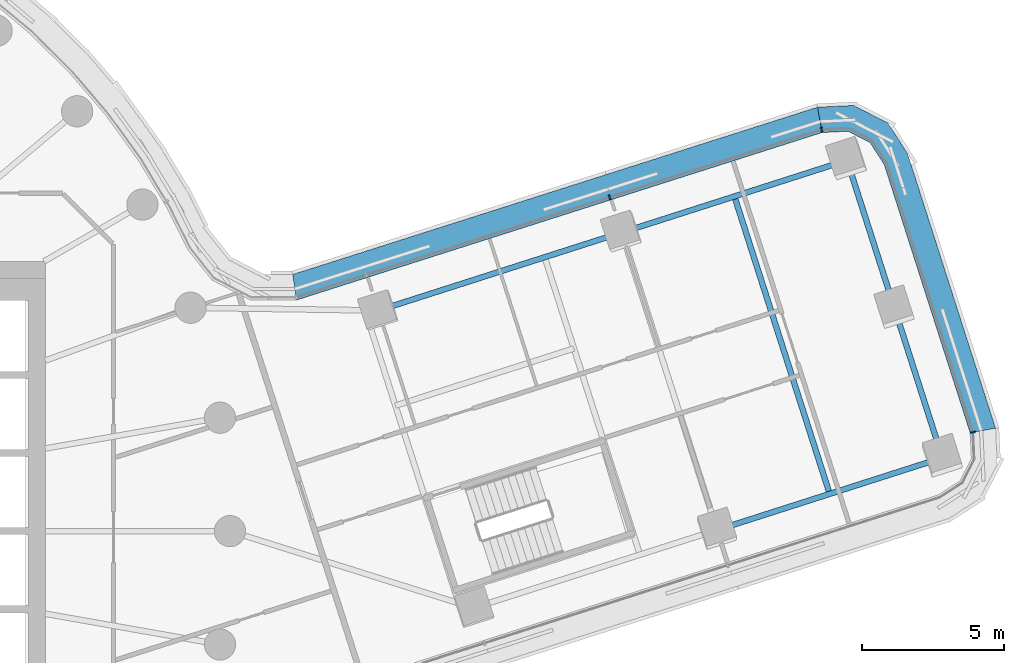
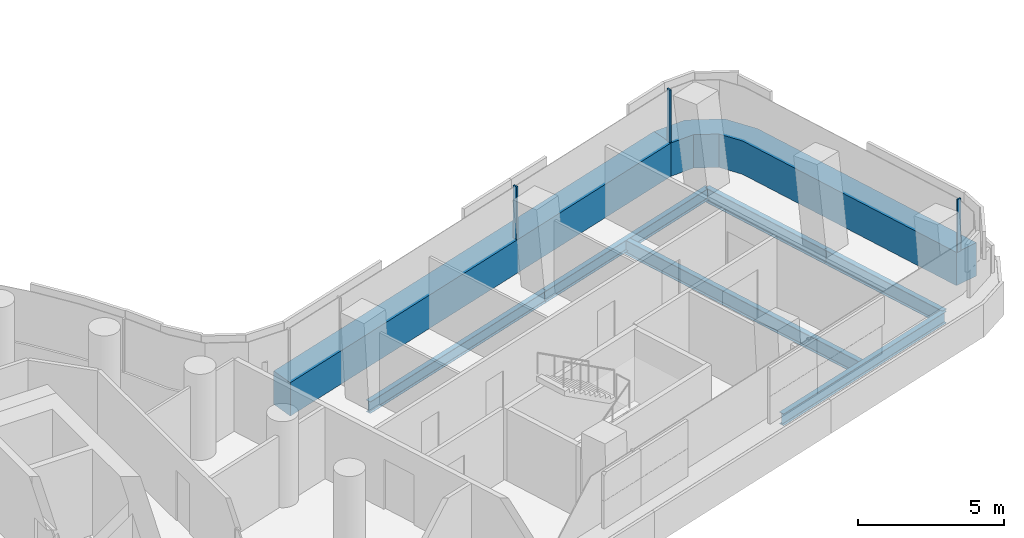
# One storey, part 12 of 30: 6 beams, 5 members, 2 elements without a shape of their own.
"""IFC4 building model written with IfcOpenShell, lengths in metres."""

from ifc_helpers import new_model, si_unit, direction, frame, origin, origin_2d, place, context, subcontext, project, spatial, polyline, rectangle, i_section, outline, extrude, material, layer, layer_set, material_profile, profile_set, type_object, element, aggregate, save


model = new_model("IFC4")

# Units and contexts
model_context = context("Model", 3, precision=1e-05, world=origin(), true_north=direction((0.0, 1.0)))
body_context = subcontext(model_context, "Body", "Model", "MODEL_VIEW")
ifc_project = project(units=[si_unit("LENGTHUNIT", "METRE"), si_unit("AREAUNIT", "SQUARE_METRE"), si_unit("VOLUMEUNIT", "CUBIC_METRE"), si_unit("PLANEANGLEUNIT", "RADIAN"), si_unit("MASSUNIT", "GRAM", prefix="KILO")], contexts=[model_context])

# Site, building, storey
site_placement = place(None, origin())
site = spatial("IfcSite", under=ifc_project, at=site_placement, CompositionType="ELEMENT")
building_placement = place(site_placement, origin())
building = spatial("IfcBuilding", under=site, at=building_placement, Name="Tamarind Cross Interchange Tower", CompositionType="ELEMENT")
storey_placement = place(building_placement, frame((0.0, 0.0, 98.5)))
storey = spatial("IfcBuildingStorey", under=building, at=storey_placement, Name="L23", CompositionType="ELEMENT", Elevation=98.5)

# Beams
ifc_material_1 = material(Name="Steel Q355B", Category="steel")
ifc_material_profile_1 = material_profile(ifc_material_1, i_section(OverallWidth=0.198974609375, OverallDepth=0.49609375, WebThickness=0.009033203125, FlangeThickness=0.013916015625, FilletRadius=0.012939453125, at=origin_2d()), Name="HN 496x199x9x14")
ifc_profile_set_1 = profile_set([ifc_material_profile_1], Name="Steel Q355B")
beam_type_1 = type_object("IfcBeamType", Name="Composite beam HN 496x199x9x14 Q355B", PredefinedType="BEAM", material=ifc_profile_set_1)
for number, where, z_axis, x_axis, name in (
    (1, (48.087890625, 2.581298828125, -0.387939453125), (-0.952333265495, -0.305059586692, 0.0), (0.305059586692, -0.952333265495, 0.0), "Beam E-edgeem5"),
    (2, (44.732421875, 13.05712890625, -0.387939453125), (-0.952333265495, -0.305059586692, 0.0), (0.305059586692, -0.952333265495, 0.0), "Beam E-edgeep2"),
):
    element("IfcBeam", number, at=place(storey_placement, frame(where, z_axis=z_axis, x_axis=x_axis)), inside=storey, type_object=beam_type_1, Name=name, PredefinedType="BEAM", context=body_context, shape_type="SweptSolid", body=[
        extrude(i_section(OverallWidth=0.198974609375, OverallDepth=0.49609375, WebThickness=0.009033203125, FlangeThickness=0.013916015625, FilletRadius=0.012939453125, at=origin_2d()), origin(), (0.0, 0.0, 1.0), 8.33203125),
    ])
beam_1_placement = place(storey_placement, frame((36.797607421875, 10.515380859375, -0.387939453125), z_axis=(-0.95233150291, -0.305065089063, 0.0), x_axis=(0.305065089063, -0.95233150291, 0.0)))
element("IfcBeam", 3, at=beam_1_placement, inside=storey, type_object=beam_type_1, Name="Beam E-edgeep3", PredefinedType="BEAM", context=body_context, shape_type="SweptSolid", body=[
    extrude(i_section(OverallWidth=0.198974609375, OverallDepth=0.49609375, WebThickness=0.009033203125, FlangeThickness=0.013916015625, FilletRadius=0.012939453125, at=origin_2d()), origin(), (0.0, 0.0, 1.0), 9.0),
])
ifc_material_profile_2 = material_profile(ifc_material_1, i_section(OverallWidth=0.199951171875, OverallDepth=0.60009765625, WebThickness=0.010986328125, FlangeThickness=0.01708984375, FilletRadius=0.012939453125, at=origin_2d()), Name="HN 600x200x11x17")
ifc_profile_set_2 = profile_set([ifc_material_profile_2], Name="Steel Q355B")
beam_type_2 = type_object("IfcBeamType", Name="Composite beam HN 600x200x11x17 Q355B", PredefinedType="BEAM", material=ifc_profile_set_2)
beam_2_placement = place(storey_placement, frame((48.087890625, 2.581298828125, -0.43994140625), z_axis=(-0.305046305392, 0.952337519773, 0.0), x_axis=(-0.952337519773, -0.305046305392, 0.0)))
element("IfcBeam", 4, at=beam_2_placement, inside=storey, type_object=beam_type_2, Name="Beam E-tip0", PredefinedType="BEAM", context=body_context, shape_type="SweptSolid", body=[
    extrude(i_section(OverallWidth=0.199951171875, OverallDepth=0.60009765625, WebThickness=0.010986328125, FlangeThickness=0.01708984375, FilletRadius=0.012939453125, at=origin_2d()), origin(), (0.0, 0.0, 1.0), 5.5),
])
beam_3_placement = place(storey_placement, frame((46.41015625, 7.819091796875, -0.43994140625), z_axis=(-0.305033410376, 0.95234165012, 0.0), x_axis=(-0.95234165012, -0.305033410376, 0.0)))
element("IfcBeam", 5, at=beam_3_placement, inside=storey, type_object=beam_type_2, Name="Beam E-tip1", PredefinedType="BEAM", context=body_context, shape_type="SweptSolid", body=[
    extrude(i_section(OverallWidth=0.199951171875, OverallDepth=0.60009765625, WebThickness=0.010986328125, FlangeThickness=0.01708984375, FilletRadius=0.012939453125, at=origin_2d()), origin(), (0.0, 0.0, 1.0), 5.500244140625),
])
beam_4_placement = place(storey_placement, frame((44.12060546875, 1.310546875, -0.43994140625), z_axis=(-0.305066434754, 0.952331071837, 0.0), x_axis=(-0.952331071837, -0.305066434754, 0.0)))
element("IfcBeam", 6, at=beam_4_placement, inside=storey, type_object=beam_type_2, Name="Beam E-x435", PredefinedType="BEAM", context=body_context, shape_type="SweptSolid", body=[
    extrude(i_section(OverallWidth=0.199951171875, OverallDepth=0.60009765625, WebThickness=0.010986328125, FlangeThickness=0.01708984375, FilletRadius=0.012939453125, at=origin_2d()), origin(), (0.0, 0.0, 1.0), 11.0),
])

# Curtain wall, member
ifc_material_2 = material(Name="Aluminium 6063-T6", Category="aluminium")
ifc_layer = layer(ifc_material_2, 0.159912109375)
ifc_layer_set = layer_set([ifc_layer], Name="Aluminium 6063-T6")
curtain_wall_type = type_object("IfcCurtainWallType", Name="Office curtain wall, 9.0 m bays", PredefinedType="NOTDEFINED", material=ifc_layer_set)
curtain_wall_1_placement = place(storey_placement, origin())
curtain_wall_1 = element("IfcCurtainWall", 7, at=curtain_wall_1_placement, inside=storey, type_object=curtain_wall_type, Name="CWS-L23-00", PredefinedType="NOTDEFINED")
ifc_material_3 = material(Name="Aluminium and insulated spandrel panel", Category="aluminium")
member_type_1 = type_object("IfcMemberType", Name="Floor-edge blade transom", PredefinedType="USERDEFINED", material=ifc_material_3)
member_1_placement = place(storey_placement, origin())
member_1 = element("IfcMember", 8, at=member_1_placement, type_object=member_type_1, Name="CWT-L23-00", ObjectType="TRANSOM", PredefinedType="USERDEFINED", context=body_context, shape_type="SweptSolid", body=[
    extrude(outline(polyline([(49.066162109375, 3.461181640625), (46.039794921875, 12.909423828125), (45.54443359375, 13.67919921875), (44.766845703125, 14.079345703125), (43.852294921875, 14.03515625), (43.691162109375, 14.928466796875), (44.96435546875, 14.989990234375), (46.170654296875, 14.368896484375), (46.860595703125, 13.296630859375), (49.95947265625, 3.623046875), (49.066162109375, 3.461181640625)])), origin(), (0.0, 0.0, 1.0), 1.39990234375),
])

curtain_wall_2_placement = place(storey_placement, origin())
curtain_wall_2 = element("IfcCurtainWall", 9, at=curtain_wall_2_placement, inside=storey, type_object=curtain_wall_type, Name="CWS-L23-01", PredefinedType="NOTDEFINED")
member_2_placement = place(storey_placement, origin())
member_2 = element("IfcMember", 10, at=member_2_placement, type_object=member_type_1, Name="CWT-L23-01", ObjectType="TRANSOM", PredefinedType="USERDEFINED", context=body_context, shape_type="SweptSolid", body=[
    extrude(outline(polyline([(43.852294921875, 14.03515625), (25.348388671875, 8.137451171875), (25.20849609375, 9.037353515625), (43.691162109375, 14.928466796875), (43.852294921875, 14.03515625)])), origin(), (0.0, 0.0, 1.0), 1.39990234375),
])

# Member
ifc_material_profile_3 = material_profile(ifc_material_2, rectangle(XDim=0.06005859375, YDim=0.159912109375, at=origin_2d()), Name="Mullion CW1")
ifc_profile_set_3 = profile_set([ifc_material_profile_3], Name="Aluminium 6063-T6")
member_type_2 = type_object("IfcMemberType", Name="Mullion CW1", PredefinedType="MULLION", material=ifc_profile_set_3)
member_3_placement = place(storey_placement, frame((49.16552734375, 3.479248046875, 1.39990234375), z_axis=(0.0, 0.0, 1.0), x_axis=(-0.178142768927, 0.98400465135, 0.0)))
member_3 = element("IfcMember", 11, at=member_3_placement, type_object=member_type_2, Name="CWM-L23-00-00", PredefinedType="MULLION", context=body_context, shape_type="SweptSolid", body=[
    extrude(rectangle(XDim=0.06005859375, YDim=0.159912109375, at=origin_2d()), origin(), (0.0, 0.0, 1.0), 2.210205078125),
])

aggregate(curtain_wall_1, [member_3, member_1])

member_4_placement = place(storey_placement, frame((43.83447265625, 14.134521484375, 1.39990234375), z_axis=(0.0, 0.0, 1.0), x_axis=(-0.984132925632, -0.177432761031, 0.0)))
member_4 = element("IfcMember", 12, at=member_4_placement, type_object=member_type_2, Name="CWM-L23-01-00", PredefinedType="MULLION", context=body_context, shape_type="SweptSolid", body=[
    extrude(rectangle(XDim=0.06005859375, YDim=0.159912109375, at=origin_2d()), origin(), (0.0, 0.0, 1.0), 2.210205078125),
])

member_5_placement = place(storey_placement, frame((36.370361328125, 11.75537109375, 1.39990234375), z_axis=(0.0, 0.0, 1.0), x_axis=(-0.952773264992, -0.303682573614, 0.0)))
member_5 = element("IfcMember", 13, at=member_5_placement, type_object=member_type_2, Name="CWM-L23-01-01", PredefinedType="MULLION", context=body_context, shape_type="SweptSolid", body=[
    extrude(rectangle(XDim=0.06005859375, YDim=0.159912109375, at=origin_2d()), origin(), (0.0, 0.0, 1.0), 2.210205078125),
])

aggregate(curtain_wall_2, [member_4, member_5, member_2])

save(model, "model.ifc")
